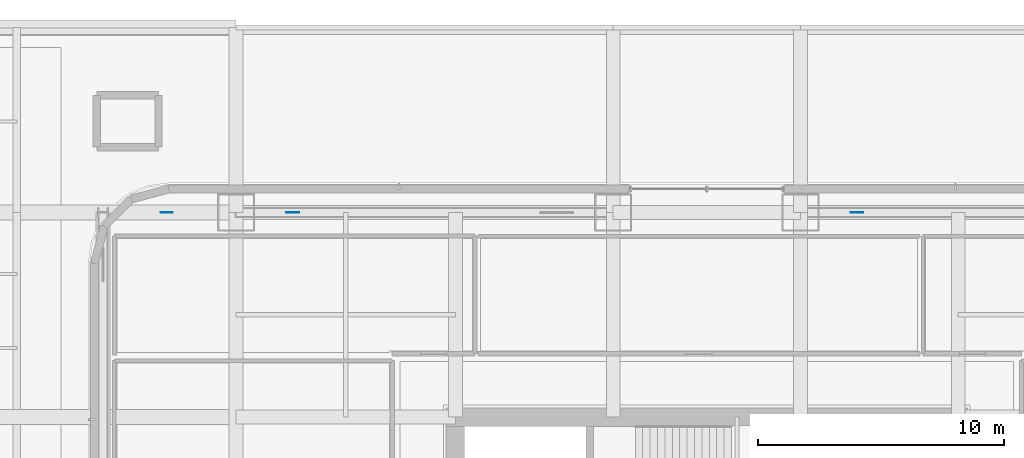
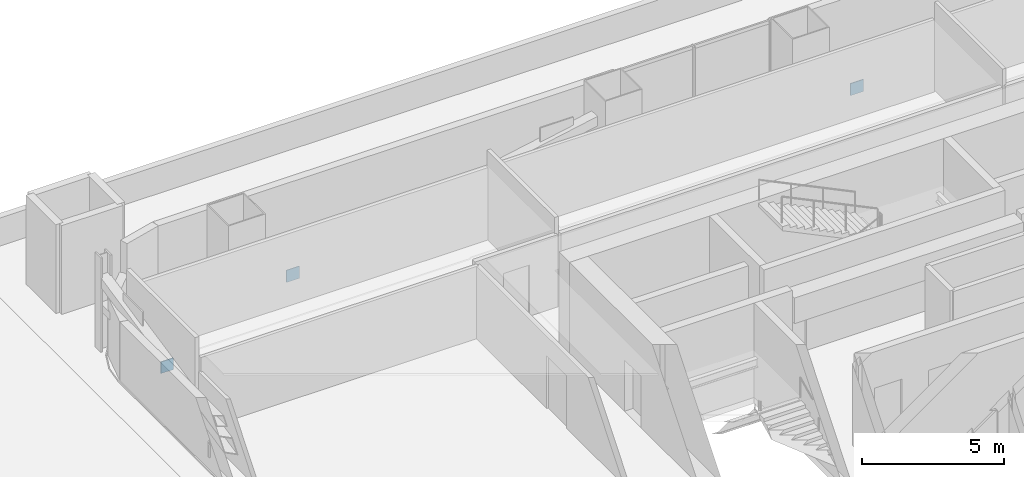
# One storey, part 13 of 30: 3 plates.
"""IFC4 building model written with IfcOpenShell, lengths in metres."""

import ifcopenshell
import ifcopenshell.guid

model = None  # the IFC model being written
_history = None  # IfcOwnerHistory: only IFC2X3 demands one
_inside = {}  # id of a spatial element -> (the spatial element, [elements in it])
_under = {}  # id of a project, library or spatial element -> (it, [spatial elements below it])
_declared = {}  # id of a project -> (the project, [libraries it declares])
_typed = {}  # id of a type object -> (the type object, [elements of that type])
_made_of = {}  # id of a material, layer set ... -> (it, [elements and type objects made of it])


def new_model(schema):
    """Start an empty IFC model of exactly this schema.

    Asked for "IFC4X3", IfcOpenShell would pick the latest addendum, in which some entities
    have other attributes; the version numbers below select the first issue.
    IFC2X3 requires an IfcOwnerHistory on every rooted entity: one is made here for all.
    """
    global model, _history
    if schema == "IFC4X3":
        model = ifcopenshell.file(schema_version=(4, 3, 0, 0))
    else:
        model = ifcopenshell.file(schema=schema)
    _inside.clear()
    _under.clear()
    _declared.clear()
    _typed.clear()
    _made_of.clear()
    _history = None
    if model.schema == "IFC2X3":
        org = make("IfcOrganization", Name="unknown")
        user = make(
            "IfcPersonAndOrganization",
            ThePerson=make("IfcPerson", FamilyName="unknown"),
            TheOrganization=org,
        )
        app = make(
            "IfcApplication",
            ApplicationDeveloper=org,
            Version="unknown",
            ApplicationFullName="unknown",
            ApplicationIdentifier="unknown",
        )
        _history = make(
            "IfcOwnerHistory",
            OwningUser=user,
            OwningApplication=app,
            ChangeAction="ADDED",
            CreationDate=0,
        )
    return model


def make(cls, **values):
    """One entity of the class cls with the attributes given. An attribute that is None is left unset."""
    return model.create_entity(
        cls, **{name: value for name, value in values.items() if value is not None}
    )


def rooted(cls, **values):
    """An entity with a GlobalId (a new one), such as an element, a storey or a relation."""
    return make(cls, GlobalId=ifcopenshell.guid.new(), OwnerHistory=_history, **values)


def si_unit(unit_type, name, prefix=None):
    """IfcSIUnit, for example si_unit("LENGTHUNIT", "METRE", prefix="MILLI")."""
    return make("IfcSIUnit", UnitType=unit_type, Prefix=prefix, Name=name)


def assignment(units):
    """IfcUnitAssignment: the units of a project."""
    return None if units is None else make("IfcUnitAssignment", Units=units)


def point(xyz):
    """IfcCartesianPoint."""
    return None if xyz is None else make("IfcCartesianPoint", Coordinates=xyz)


def direction(xyz):
    """IfcDirection."""
    return None if xyz is None else make("IfcDirection", DirectionRatios=xyz)


def frame(location, z_axis=None, x_axis=None):
    """IfcAxis2Placement3D, a coordinate frame: its origin and axes. An axis left out is left unset."""
    return make(
        "IfcAxis2Placement3D",
        Location=point(location),
        Axis=direction(z_axis),
        RefDirection=direction(x_axis),
    )


def frame_2d(location, x_axis=None):
    """IfcAxis2Placement2D, a coordinate frame in the plane: its origin and x axis."""
    return make(
        "IfcAxis2Placement2D", Location=point(location), RefDirection=direction(x_axis)
    )


def origin():
    """The frame at (0, 0, 0) with its axes left unset."""
    return frame((0.0, 0.0, 0.0))


def origin_2d():
    """The frame at (0, 0) in the plane with its x axis left unset."""
    return frame_2d((0.0, 0.0))


def place(relative_to, where):
    """IfcLocalPlacement: puts the frame where relative to a parent placement (None: the world)."""
    return make(
        "IfcLocalPlacement", PlacementRelTo=relative_to, RelativePlacement=where
    )


def context(
    kind, dimensions, precision=None, world=None, true_north=None, identifier=None
):
    """IfcGeometricRepresentationContext, for example the 3D "Model" context."""
    return make(
        "IfcGeometricRepresentationContext",
        ContextIdentifier=identifier,
        ContextType=kind,
        CoordinateSpaceDimension=dimensions,
        Precision=precision,
        WorldCoordinateSystem=world,
        TrueNorth=true_north,
    )


def subcontext(parent, identifier, kind, view, scale=None):
    """IfcGeometricRepresentationSubContext, for example "Body" below "Model"."""
    return make(
        "IfcGeometricRepresentationSubContext",
        ContextIdentifier=identifier,
        ContextType=kind,
        ParentContext=parent,
        TargetScale=scale,
        TargetView=view,
    )


def project(units=None, contexts=None):
    """IfcProject with its units and contexts."""
    return rooted(
        "IfcProject",
        Name="project",
        RepresentationContexts=contexts,
        UnitsInContext=assignment(units),
    )


def spatial(cls, under=None, at=None, **own):
    """A site, building, storey or space (cls), placed at a placement, below another one or the project."""
    s = rooted(cls, ObjectPlacement=at, **own)
    if under is not None:
        _under.setdefault(under.id(), (under, []))[1].append(s)
    return s


def profile(cls, at=None, kind="AREA", **sizes):
    """A parametric profile (cls). Its sizes go by their IFC names, for example OverallWidth=200.0."""
    return make(cls, ProfileType=kind, Position=at, **sizes)


def rectangle(**sizes):
    """IfcRectangleProfileDef."""
    return profile("IfcRectangleProfileDef", **sizes)


def extrude(swept, where, along, depth):
    """IfcExtrudedAreaSolid: the profile swept, set in the frame where, extruded along a direction by depth."""
    return make(
        "IfcExtrudedAreaSolid",
        SweptArea=swept,
        Position=where,
        ExtrudedDirection=direction(along),
        Depth=depth,
    )


def shape(context_of_items, identifier, shape_type, items):
    """IfcShapeRepresentation: the items that make up one representation, for example the "Body"."""
    return make(
        "IfcShapeRepresentation",
        ContextOfItems=context_of_items,
        RepresentationIdentifier=identifier,
        RepresentationType=shape_type,
        Items=items,
    )


def material(Name=None, Category=None):
    """IfcMaterial."""
    return make("IfcMaterial", Name=Name, Category=Category)


def layer(
    of_material, thickness, ventilated=None, Name=None, Category=None, Priority=None
):
    """IfcMaterialLayer: one layer of a wall or slab, of a material (None: an air gap)."""
    return make(
        "IfcMaterialLayer",
        Material=of_material,
        LayerThickness=thickness,
        IsVentilated=ventilated,
        Name=Name,
        Category=Category,
        Priority=Priority,
    )


def layer_set(layers, Name=None):
    """IfcMaterialLayerSet."""
    return make("IfcMaterialLayerSet", MaterialLayers=layers, LayerSetName=Name)


def made_of(thing, what):
    """Note that an element or type object is made of a material, layer set ...; save() writes the relation."""
    if what is not None:
        _made_of.setdefault(what.id(), (what, []))[1].append(thing)
    return thing


def type_object(cls, material=None, **own):
    """A type object (cls), such as IfcWallType, which elements share."""
    return made_of(rooted(cls, **own), material)


def element(
    cls,
    number,
    at=None,
    inside=None,
    cuts=None,
    type_object=None,
    material=None,
    context=None,
    identifier="Body",
    shape_type=None,
    held_by="IfcProductDefinitionShape",
    body=None,
    shapes=None,
    **own,
):
    """One element of the class cls, such as IfcWall. Its Tag is "e" and its number.

    at: its placement. inside: the storey or other place that contains it. cuts: it is an
    opening in that element (IfcRelVoidsElement). A single representation is given by context,
    identifier, shape_type and body (its items); several are given by shapes. held_by: the class
    of the entity that holds the representations. save() writes the other relations.
    """
    e = rooted(cls, Tag="e%d" % number, ObjectPlacement=at, **own)
    if body is not None:
        shapes = [shape(context, identifier, shape_type, body)]
    if shapes is not None:
        e.Representation = make(held_by, Representations=shapes)
    if inside is not None:
        _inside.setdefault(inside.id(), (inside, []))[1].append(e)
    if cuts is not None:
        rooted(
            "IfcRelVoidsElement", RelatingBuildingElement=cuts, RelatedOpeningElement=e
        )
    if type_object is not None:
        _typed.setdefault(type_object.id(), (type_object, []))[1].append(e)
    return made_of(e, material)


def aggregate(whole, parts):
    """IfcRelAggregates: a whole, such as a stair, and the parts it consists of."""
    return rooted("IfcRelAggregates", RelatingObject=whole, RelatedObjects=parts)


def save(model, path):
    """Write the relations noted so far, then the file.

    IfcRelAggregates (storeys below a building ...), IfcRelContainedInSpatialStructure (elements
    in a storey), IfcRelDefinesByType, IfcRelAssociatesMaterial and IfcRelDeclares: one each for
    every whole, place, type object, material and project.
    """
    for whole, parts in _under.values():
        aggregate(whole, parts)
    for where, things in _inside.values():
        rooted(
            "IfcRelContainedInSpatialStructure",
            RelatedElements=things,
            RelatingStructure=where,
        )
    for kind, things in _typed.values():
        rooted("IfcRelDefinesByType", RelatedObjects=things, RelatingType=kind)
    for what, things in _made_of.values():
        rooted("IfcRelAssociatesMaterial", RelatedObjects=things, RelatingMaterial=what)
    for by, libraries in _declared.values():
        rooted("IfcRelDeclares", RelatingContext=by, RelatedDefinitions=libraries)
    model.write(path)


model = new_model("IFC4")

# Units and contexts
model_context = context("Model", 3, precision=1e-05, world=origin(), true_north=direction((0.0, 1.0)))
body_context = subcontext(model_context, "Body", "Model", "MODEL_VIEW")
ifc_project = project(units=[si_unit("LENGTHUNIT", "METRE"), si_unit("AREAUNIT", "SQUARE_METRE"), si_unit("VOLUMEUNIT", "CUBIC_METRE"), si_unit("PLANEANGLEUNIT", "RADIAN"), si_unit("MASSUNIT", "GRAM", prefix="KILO")], contexts=[model_context])

# Site, building, storey
site_placement = place(None, origin())
site = spatial("IfcSite", under=ifc_project, at=site_placement, CompositionType="ELEMENT")
building_placement = place(site_placement, origin())
building = spatial("IfcBuilding", under=site, at=building_placement, Name="Punatoya Terracotta Tower", CompositionType="ELEMENT")
storey_placement = place(building_placement, frame((0.0, 0.0, 28.199951171875)))
storey = spatial("IfcBuildingStorey", under=building, at=storey_placement, Name="L05", CompositionType="ELEMENT", Elevation=28.199951171875)

# Plates
ifc_material = material(Name="Steel S460", Category="steel")
ifc_layer = layer(ifc_material, 0.031982421875)
ifc_layer_set = layer_set([ifc_layer], Name="Steel S460")
plate_type = type_object("IfcPlateType", Name="PLT-END-32", PredefinedType="USERDEFINED", material=ifc_layer_set)
for number, where, z_axis, x_axis, name in (
    (1, (-16.804931640625, 17.5, 0.20849609375), (0.0, 0.0, 1.0), (1.0, 0.0, 0.0), "L05 Exoskeleton Base Node Plate N1"),
    (2, (6.094970703125, 17.5, 0.20849609375), (0.0, 0.0, 1.0), (1.0, 0.0, 0.0), "L05 Exoskeleton Base Node Plate N3"),
):
    element("IfcPlate", number, at=place(storey_placement, frame(where, z_axis=z_axis, x_axis=x_axis)), inside=storey, type_object=plate_type, Name=name, ObjectType="FLANGE_PLATE", PredefinedType="USERDEFINED", context=body_context, shape_type="SweptSolid", body=[
        extrude(rectangle(XDim=0.52001953125, YDim=0.031982421875, at=origin_2d()), origin(), (0.0, 0.0, 1.0), 0.52001953125),
    ])
plate_placement = place(storey_placement, frame((-21.916015625, 17.5, -1.91796875), z_axis=(0.0, 0.0, 1.0), x_axis=(1.0, 0.0, 0.0)))
element("IfcPlate", 3, at=plate_placement, inside=storey, type_object=plate_type, Name="L05 Knee-Strut Upper End Cap Plate W2", ObjectType="FLANGE_PLATE", PredefinedType="USERDEFINED", context=body_context, shape_type="SweptSolid", body=[
    extrude(rectangle(XDim=0.5, YDim=0.031982421875, at=origin_2d()), origin(), (0.0, 0.0, 1.0), 0.5),
])

save(model, "model.ifc")
